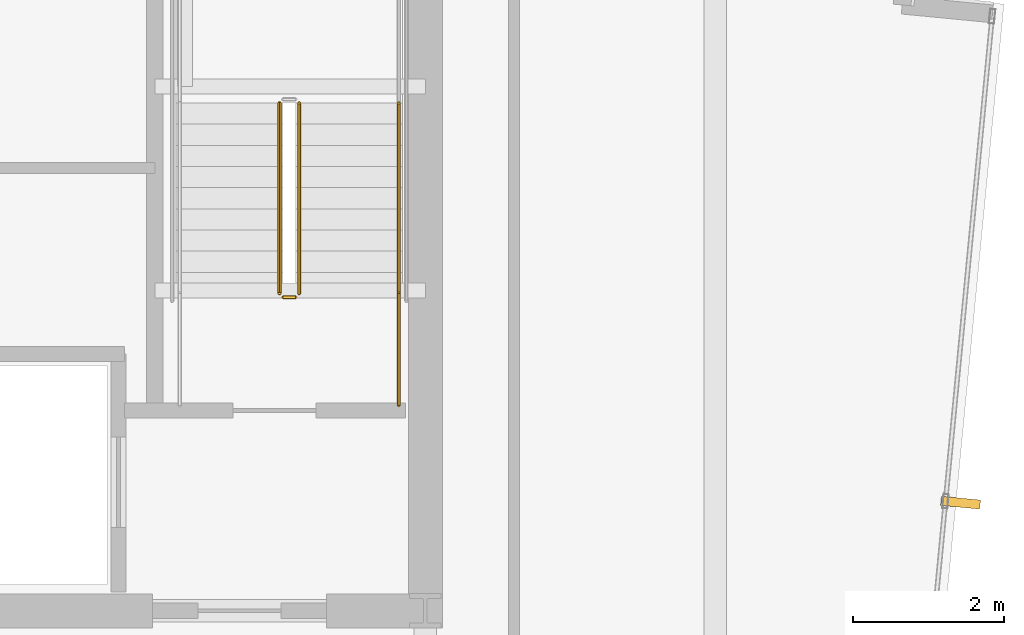
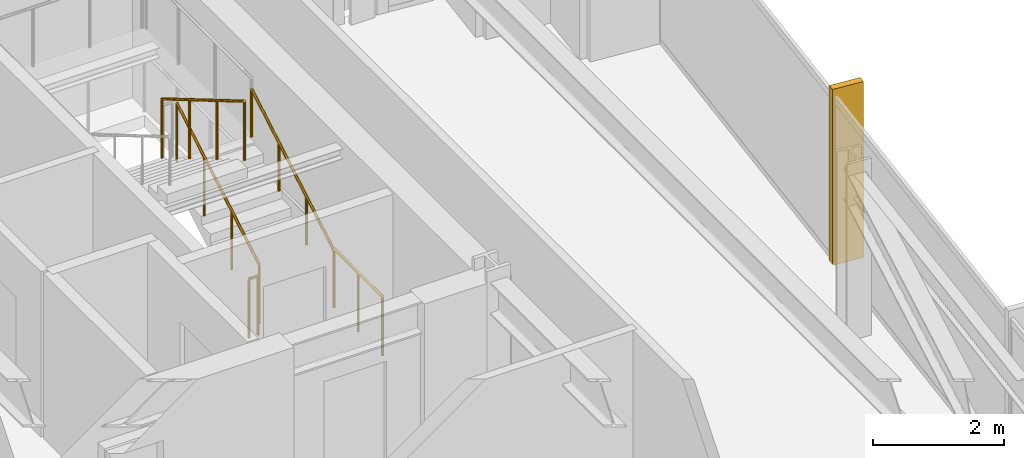
# One storey, part 36 of 38: 5 railings, 1 shading device.
"""IFC4 building model written with IfcOpenShell, lengths in metres."""

from ifc_helpers import new_model, si_unit, direction, frame, origin, origin_2d, place, context, subcontext, project, spatial, rectangle, circle, extrude, material, layer, layer_set, type_object, element, save


model = new_model("IFC4")

# Units and contexts
model_context = context("Model", 3, precision=1e-05, world=origin(), true_north=direction((0.0, 1.0)))
body_context = subcontext(model_context, "Body", "Model", "MODEL_VIEW")
ifc_project = project(units=[si_unit("LENGTHUNIT", "METRE"), si_unit("AREAUNIT", "SQUARE_METRE"), si_unit("VOLUMEUNIT", "CUBIC_METRE"), si_unit("PLANEANGLEUNIT", "RADIAN"), si_unit("MASSUNIT", "GRAM", prefix="KILO")], contexts=[model_context])

# Site, building, storey
site_placement = place(None, origin())
site = spatial("IfcSite", under=ifc_project, at=site_placement, CompositionType="ELEMENT")
building_placement = place(site_placement, origin())
building = spatial("IfcBuilding", under=site, at=building_placement, Name="Yelkora Congress Tower", CompositionType="ELEMENT")
storey_placement = place(building_placement, frame((0.0, 0.0, 172.10009765625)))
storey = spatial("IfcBuildingStorey", under=building, at=storey_placement, Name="L47", CompositionType="ELEMENT", Elevation=172.10009765625)

# Railings
ifc_material_1 = material(Name="Painted galvanised steel stair well guard with vertical infill", Category="steel")
ifc_layer_1 = layer(ifc_material_1, 0.06005859375)
ifc_layer_set_1 = layer_set([ifc_layer_1], Name="Painted galvanised steel stair well guard with vertical infill")
railing_type_1 = type_object("IfcRailingType", Name="RAIL-STAIR-GUARD-1120", PredefinedType="GUARDRAIL", material=ifc_layer_set_1)
railing_1_placement = place(storey_placement, frame((52.090087890625, 39.60009765625, 0.164794921875)))
element("IfcRailing", 1, at=railing_1_placement, inside=storey, type_object=railing_type_1, Name="ST-02 L47 Stair Well Guardrail 1", PredefinedType="GUARDRAIL", context=body_context, shape_type="SweptSolid", body=[
    extrude(circle(Radius=0.02392578125, at=origin_2d()), frame((0.0, 0.0, 1.09619140625), z_axis=(0.0, 0.86152411907, 0.507716645641), x_axis=(-1.0, 0.0, 0.0)), (0.0, 0.0, 1.0), 2.925048828125),
    extrude(circle(Radius=0.02099609375, at=origin_2d()), origin(), (0.0, 0.0, 1.0), 1.072021484375),
    extrude(circle(Radius=0.02099609375, at=origin_2d()), frame((0.0, 0.840087890625, 0.4951171875)), (0.0, 0.0, 1.0), 1.072021484375),
    extrude(circle(Radius=0.02099609375, at=origin_2d()), frame((0.0, 1.679931640625, 0.989990234375)), (0.0, 0.0, 1.0), 1.072021484375),
    extrude(circle(Radius=0.02099609375, at=origin_2d()), frame((0.0, 2.52001953125, 1.485107421875)), (0.0, 0.0, 1.0), 1.072021484375),
])
railing_2_placement = place(storey_placement, frame((51.830078125, 42.1201171875, 1.81494140625)))
element("IfcRailing", 2, at=railing_2_placement, inside=storey, type_object=railing_type_1, Name="ST-02 L47 Stair Well Guardrail 6", PredefinedType="GUARDRAIL", context=body_context, shape_type="SweptSolid", body=[
    extrude(circle(Radius=0.02392578125, at=origin_2d()), frame((0.0, 0.0, 1.09619140625), z_axis=(0.0, -0.861560626758, 0.507654692109), x_axis=(1.0, 0.0, 0.0)), (0.0, 0.0, 1.0), 2.925048828125),
    extrude(circle(Radius=0.02099609375, at=origin_2d()), origin(), (0.0, 0.0, 1.0), 1.072021484375),
    extrude(circle(Radius=0.02099609375, at=origin_2d()), frame((0.0, -0.840087890625, 0.494873046875)), (0.0, 0.0, 1.0), 1.072021484375),
    extrude(circle(Radius=0.02099609375, at=origin_2d()), frame((0.0, -1.679931640625, 0.989990234375)), (0.0, 0.0, 1.0), 1.072021484375),
    extrude(circle(Radius=0.02099609375, at=origin_2d()), frame((0.0, -2.52001953125, 1.48486328125)), (0.0, 0.0, 1.0), 1.072021484375),
])
railing_3_placement = place(storey_placement, frame((52.0400390625, 39.550048828125, 0.0)))
element("IfcRailing", 3, at=railing_3_placement, inside=storey, type_object=railing_type_1, Name="ST-02 L47 Stair Well Guardrail 7", PredefinedType="GUARDRAIL", context=body_context, shape_type="SweptSolid", body=[
    extrude(circle(Radius=0.02392578125, at=origin_2d()), frame((0.0, 0.0, 1.09619140625), z_axis=(-1.0, 0.0, 0.0), x_axis=(0.0, -1.0, 0.0)), (0.0, 0.0, 1.0), 0.16015625),
    extrude(circle(Radius=0.02099609375, at=origin_2d()), origin(), (0.0, 0.0, 1.0), 1.072021484375),
    extrude(circle(Radius=0.02099609375, at=origin_2d()), frame((-0.16015625, 0.0, 0.0)), (0.0, 0.0, 1.0), 1.072021484375),
])
railing_4_placement = place(storey_placement, frame((53.409912109375, 38.1201171875, 0.0)))
element("IfcRailing", 4, at=railing_4_placement, inside=storey, type_object=railing_type_1, Name="ST-02 L47 Stair Well Guardrail 8", PredefinedType="GUARDRAIL", context=body_context, shape_type="SweptSolid", body=[
    extrude(circle(Radius=0.02392578125, at=origin_2d()), frame((0.0, 0.0, 1.09619140625), z_axis=(0.0, 1.0, 0.0), x_axis=(-1.0, 0.0, 0.0)), (0.0, 0.0, 1.0), 1.47998046875),
    extrude(circle(Radius=0.02099609375, at=origin_2d()), origin(), (0.0, 0.0, 1.0), 1.072021484375),
    extrude(circle(Radius=0.02099609375, at=origin_2d()), frame((0.0, 0.739990234375, 0.0)), (0.0, 0.0, 1.0), 1.072021484375),
    extrude(circle(Radius=0.02099609375, at=origin_2d()), frame((0.0, 1.47998046875, 0.0)), (0.0, 0.0, 1.0), 1.072021484375),
])
ifc_material_2 = material(Name="Brushed stainless steel tubular handrail", Category="steel")
ifc_layer_2 = layer(ifc_material_2, 0.050048828125)
ifc_layer_set_2 = layer_set([ifc_layer_2], Name="Brushed stainless steel tubular handrail")
railing_type_2 = type_object("IfcRailingType", Name="RAIL-STAIR-HAND-920", PredefinedType="HANDRAIL", material=ifc_layer_set_2)
railing_5_placement = place(storey_placement, frame((53.409912109375, 39.60009765625, 0.164794921875)))
element("IfcRailing", 5, at=railing_5_placement, inside=storey, type_object=railing_type_2, Name="ST-02 L47 Pitch Handrail 1", PredefinedType="HANDRAIL", context=body_context, shape_type="SweptSolid", body=[
    extrude(circle(Radius=0.02392578125, at=origin_2d()), frame((0.0, 0.0, 0.89599609375), z_axis=(0.0, 0.86152411907, 0.507716645641), x_axis=(-1.0, 0.0, 0.0)), (0.0, 0.0, 1.0), 2.925048828125),
    extrude(circle(Radius=0.02099609375, at=origin_2d()), origin(), (0.0, 0.0, 1.0), 0.871826171875),
    extrude(circle(Radius=0.02099609375, at=origin_2d()), frame((0.0, 0.840087890625, 0.4951171875)), (0.0, 0.0, 1.0), 0.871826171875),
    extrude(circle(Radius=0.02099609375, at=origin_2d()), frame((0.0, 1.679931640625, 0.989990234375)), (0.0, 0.0, 1.0), 0.871826171875),
    extrude(circle(Radius=0.02099609375, at=origin_2d()), frame((0.0, 2.52001953125, 1.485107421875)), (0.0, 0.0, 1.0), 0.871826171875),
])

# Shading device
ifc_material_3 = material(Name="Champagne anodised aluminium", Category="aluminium")
ifc_layer_3 = layer(ifc_material_3, 3.300048828125)
ifc_layer_set_3 = layer_set([ifc_layer_3], Name="Champagne anodised aluminium")
shading_device_type = type_object("IfcShadingDeviceType", Name="SHD-FIN-ALU-520", PredefinedType="USERDEFINED", material=ifc_layer_set_3)
shading_device_placement = place(storey_placement, frame((60.84521484375, 36.83056640625, -0.0302734375), z_axis=(0.0, 0.0, 1.0), x_axis=(-0.09584575252, -0.995396198367, 0.0)))
element("IfcShadingDevice", 6, at=shading_device_placement, inside=storey, type_object=shading_device_type, Name="L47 Vertical Anodised Solar Fin 15-1", ObjectType="FIN", PredefinedType="USERDEFINED", context=body_context, shape_type="SweptSolid", body=[
    extrude(rectangle(XDim=0.1201171875, YDim=0.52001953125, at=origin_2d()), origin(), (0.0, 0.0, 1.0), 3.280029296875),
])

save(model, "model.ifc")
